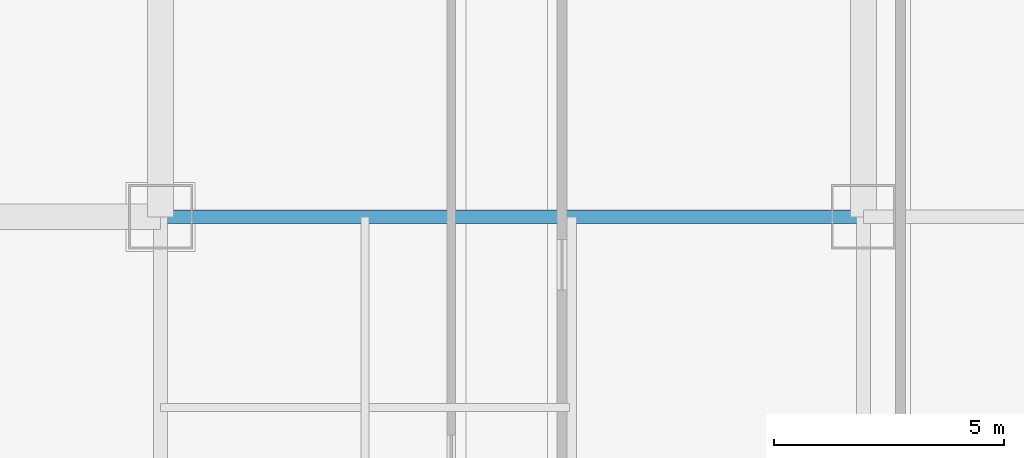
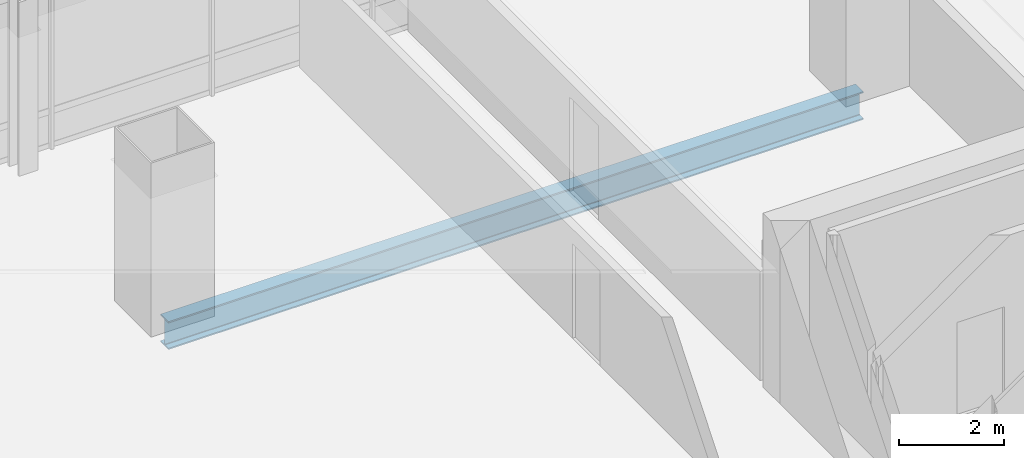
# One storey, part 20 of 37: 1 beam.
"""IFC4 building model written with IfcOpenShell, lengths in metres."""

from ifc_helpers import new_model, si_unit, direction, frame, origin, origin_2d, place, context, subcontext, project, spatial, i_section, extrude, material, material_profile, profile_set, type_object, element, save


model = new_model("IFC4")

# Units and contexts
model_context = context("Model", 3, precision=1e-05, world=origin(), true_north=direction((0.0, 1.0)))
body_context = subcontext(model_context, "Body", "Model", "MODEL_VIEW")
ifc_project = project(units=[si_unit("LENGTHUNIT", "METRE"), si_unit("AREAUNIT", "SQUARE_METRE"), si_unit("VOLUMEUNIT", "CUBIC_METRE"), si_unit("PLANEANGLEUNIT", "RADIAN"), si_unit("MASSUNIT", "GRAM", prefix="KILO")], contexts=[model_context])

# Site, building, storey
site_placement = place(None, origin())
site = spatial("IfcSite", under=ifc_project, at=site_placement, CompositionType="ELEMENT")
building_placement = place(site_placement, origin())
building = spatial("IfcBuilding", under=site, at=building_placement, Name="Punatoya Terracotta Tower", CompositionType="ELEMENT")
storey_placement = place(building_placement, frame((0.0, 0.0, 164.10009765625)))
storey = spatial("IfcBuildingStorey", under=building, at=storey_placement, Name="L38", CompositionType="ELEMENT", Elevation=164.10009765625)

# Beam
ifc_material = material(Name="Steel S355", Category="steel")
ifc_material_profile = material_profile(ifc_material, i_section(OverallWidth=0.300048828125, OverallDepth=0.64990234375, WebThickness=0.01611328125, FlangeThickness=0.031005859375, FilletRadius=0.01806640625, at=origin_2d()))
ifc_profile_set = profile_set([ifc_material_profile], Name="Steel S355")
beam_type = type_object("IfcBeamType", Name="BM-PRI-650", PredefinedType="BEAM", material=ifc_profile_set)
beam_placement = place(storey_placement, frame((-19.10009765625, 17.5, -0.545166015625), z_axis=(1.0, 0.0, 0.0), x_axis=(0.0, 1.0, 0.0)))
element("IfcBeam", 1, at=beam_placement, inside=storey, type_object=beam_type, Name="BM-L38-RG-N1", PredefinedType="BEAM", context=body_context, shape_type="SweptSolid", body=[
    extrude(i_section(OverallWidth=0.300048828125, OverallDepth=0.64990234375, WebThickness=0.01611328125, FlangeThickness=0.031005859375, FilletRadius=0.01806640625, at=origin_2d()), origin(), (0.0, 0.0, 1.0), 15.300048828125),
])

save(model, "model.ifc")
